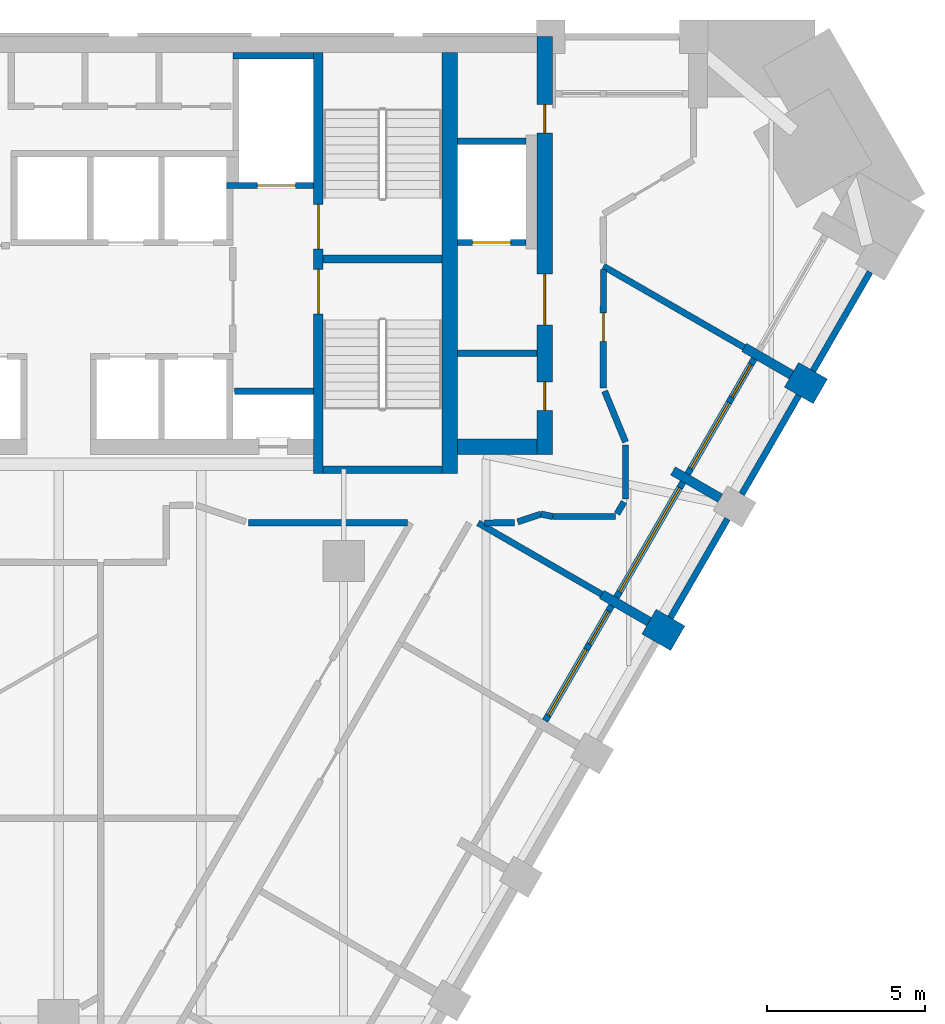
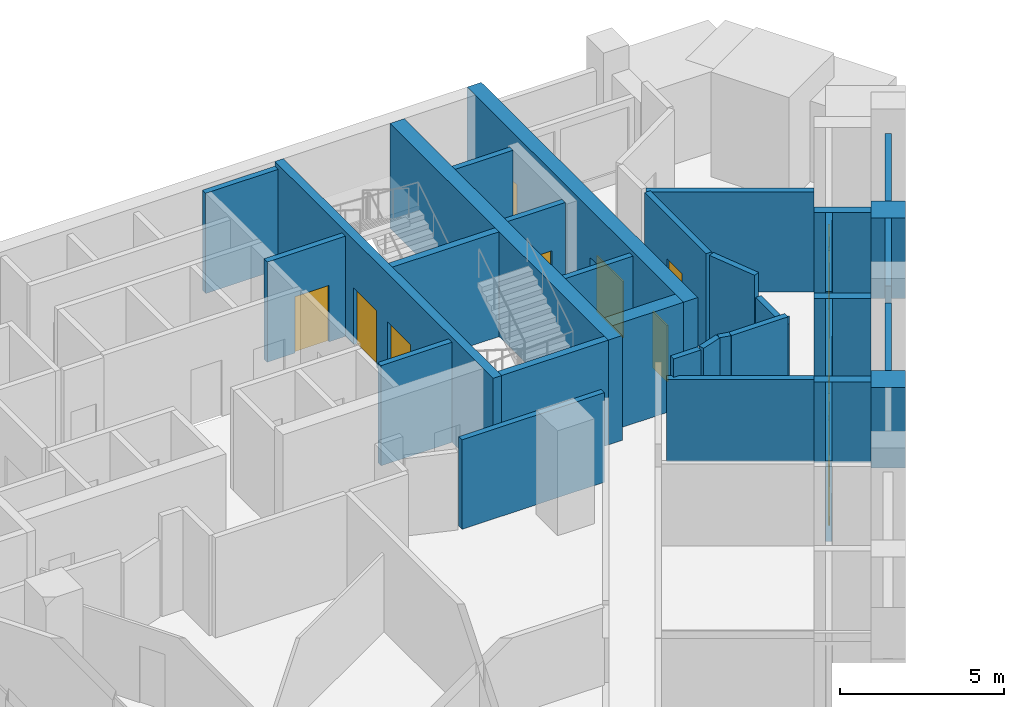
# One storey, part 7 of 10: 34 walls, 10 doors, 3 windows, 13 openings.
"""IFC4 building model written with IfcOpenShell, lengths in metres."""

from ifc_helpers import new_model, si_unit, direction, frame, frame_2d, origin, place, context, subcontext, project, spatial, rectangle, extrude, material, layer, layer_set, type_object, element, fill, save


model = new_model("IFC4")

# Units and contexts
model_context = context("Model", 3, precision=1e-05, world=origin(), true_north=direction((0.0, 1.0)))
body_context = subcontext(model_context, "Body", "Model", "MODEL_VIEW")
ifc_project = project(units=[si_unit("LENGTHUNIT", "METRE"), si_unit("AREAUNIT", "SQUARE_METRE"), si_unit("VOLUMEUNIT", "CUBIC_METRE"), si_unit("PLANEANGLEUNIT", "RADIAN"), si_unit("MASSUNIT", "GRAM", prefix="KILO")], contexts=[model_context])

# Site, building, storey
site_placement = place(None, origin())
site = spatial("IfcSite", under=ifc_project, at=site_placement, CompositionType="ELEMENT")
building_placement = place(site_placement, origin())
building = spatial("IfcBuilding", under=site, at=building_placement, Name="Calabash Gate Tower", CompositionType="ELEMENT")
storey_placement = place(building_placement, frame((0.0, 0.0, 148.5)))
storey = spatial("IfcBuildingStorey", under=building, at=storey_placement, Name="L34", CompositionType="ELEMENT", Elevation=148.5)

# Walls
ifc_material_1 = material(Name="Terracotta brick masonry, exposed face", Category="masonry")
ifc_layer_1 = layer(ifc_material_1, 1.050048828125)
ifc_layer_set_1 = layer_set([ifc_layer_1], Name="Brick end wall 1050")
wall_type_1 = type_object("IfcWallType", Name="Brick end wall 1050", PredefinedType="SOLIDWALL", material=ifc_layer_set_1)
for number, where, z_axis, x_axis, name in (
    (1, (19.55029296875, 0.05615234375, 0.0), (0.0, 0.0, 1.0), (-0.865988129768, 0.500064554934, 0.0), "Brick pier S09 SE4.5"),
    (2, (23.140869140625, 8.37548828125, 0.0), (0.0, 0.0, 1.0), (0.866088799389, -0.499890179513, 0.0), "Brick pier S09 SE4.7"),
):
    element("IfcWall", number, at=place(storey_placement, frame(where, z_axis=z_axis, x_axis=x_axis)), inside=storey, type_object=wall_type_1, Name=name, PredefinedType="SOLIDWALL", context=body_context, shape_type="SweptSolid", body=[
        extrude(rectangle(XDim=1.050048828125, YDim=0.89990234375, at=frame_2d((0.52490234375, 0.0))), origin(), (0.0, 0.0, 1.0), 3.0),
    ])
ifc_material_2 = material(Name="Terracotta brick masonry, exposed face", Category="masonry")
ifc_layer_2 = layer(ifc_material_2, 0.300048828125)
ifc_layer_set_2 = layer_set([ifc_layer_2], Name="Brick loggia cheek wall 300")
wall_type_2 = type_object("IfcWallType", Name="Brick loggia cheek wall 300", PredefinedType="SOLIDWALL", material=ifc_layer_set_2)
wall_1_placement = place(storey_placement, frame((18.640869140625, 0.581298828125, 0.0), z_axis=(0.0, 0.0, 1.0), x_axis=(-0.866013532718, 0.500020560727, 0.0)))
element("IfcWall", 3, at=wall_1_placement, inside=storey, type_object=wall_type_2, Name="Loggia cheek S09 SE4.5", PredefinedType="SOLIDWALL", context=body_context, shape_type="SweptSolid", body=[
    extrude(rectangle(XDim=1.72509765625, YDim=0.300048828125, at=frame_2d((0.862548828125, 0.0))), origin(), (0.0, 0.0, 1.0), 3.0),
])
wall_2_placement = place(storey_placement, frame((19.39697265625, 5.3408203125, 0.0), z_axis=(0.0, 0.0, 1.0), x_axis=(0.866013532718, -0.500020560727, 0.0)))
element("IfcWall", 4, at=wall_2_placement, inside=storey, type_object=wall_type_2, Name="Loggia cheek S09 SE4.6", PredefinedType="SOLIDWALL", context=body_context, shape_type="SweptSolid", body=[
    extrude(rectangle(XDim=1.72509765625, YDim=0.300048828125, at=frame_2d((0.862548828125, 0.0))), origin(), (0.0, 0.0, 1.0), 2.9501953125),
])
wall_3_placement = place(storey_placement, frame((23.140869140625, 8.37548828125, 0.0), z_axis=(0.0, 0.0, 1.0), x_axis=(-0.866013532718, 0.500020560727, 0.0)))
element("IfcWall", 5, at=wall_3_placement, inside=storey, type_object=wall_type_2, Name="Loggia cheek S09 SE4.7", PredefinedType="SOLIDWALL", context=body_context, shape_type="SweptSolid", body=[
    extrude(rectangle(XDim=1.72509765625, YDim=0.300048828125, at=frame_2d((0.862548828125, 0.0))), origin(), (0.0, 0.0, 1.0), 3.0),
])
ifc_material_3 = material(Name="Gypsum board on steel studs, mineral wool", Category="steel")
ifc_layer_3 = layer(ifc_material_3, 0.199951171875)
ifc_layer_set_3 = layer_set([ifc_layer_3], Name="Core partition 200 gypsum board")
wall_type_3 = type_object("IfcWallType", Name="Core partition 200 gypsum board", PredefinedType="PARTITIONING", material=ifc_layer_set_3)
wall_4_placement = place(storey_placement, frame((12.60009765625, 9.052490234375, 0.0), z_axis=(0.0, 0.0, 1.0), x_axis=(1.0, 0.0, 0.0)))
element("IfcWall", 6, at=wall_4_placement, inside=storey, type_object=wall_type_3, Name="Core partition", PredefinedType="PARTITIONING", context=body_context, shape_type="SweptSolid", body=[
    extrude(rectangle(XDim=2.5, YDim=0.199951171875, at=frame_2d((1.25, 0.0))), origin(), (0.0, 0.0, 1.0), 3.72998046875),
])
ifc_material_4 = material(Name="Concrete C70/85", Category="concrete")
ifc_layer_4 = layer(ifc_material_4, 0.25)
ifc_layer_set_4 = layer_set([ifc_layer_4], Name="Core wall 250 Concrete C70/85")
wall_type_4 = type_object("IfcWallType", Name="Core wall 250 Concrete C70/85", PredefinedType="SHEAR", material=ifc_layer_set_4)
for number, where, z_axis, x_axis, name in (
    (7, (8.35009765625, 12.027587890625, 0.0), (0.0, 0.0, 1.0), (1.0, 0.0, 0.0), "Core wall Z3-MIDE L34"),
    (8, (8.35009765625, 5.377685546875, 0.0), (0.0, 0.0, 1.0), (1.0, 0.0, 0.0), "Core wall Z3-SSE L34"),
):
    element("IfcWall", number, at=place(storey_placement, frame(where, z_axis=z_axis, x_axis=x_axis)), inside=storey, type_object=wall_type_4, Name=name, PredefinedType="SHEAR", context=body_context, shape_type="SweptSolid", body=[
        extrude(rectangle(XDim=3.75, YDim=0.25, at=frame_2d((1.875, 0.0))), origin(), (0.0, 0.0, 1.0), 3.89990234375),
    ])

# Wall, openings, doors
ifc_material_5 = material(Name="Concrete C70/85", Category="concrete")
ifc_layer_5 = layer(ifc_material_5, 0.300048828125)
ifc_layer_set_5 = layer_set([ifc_layer_5], Name="Core wall 300 Concrete C70/85")
wall_type_5 = type_object("IfcWallType", Name="Core wall 300 Concrete C70/85", PredefinedType="SHEAR", material=ifc_layer_set_5)
wall_5_placement = place(storey_placement, frame((8.199951171875, 5.252685546875, 0.0), z_axis=(0.0, 0.0, 1.0), x_axis=(0.0, 1.0, 0.0)))
wall_5 = element("IfcWall", 9, at=wall_5_placement, inside=storey, type_object=wall_type_5, Name="Core wall Z3-PARTE L34", PredefinedType="SHEAR", context=body_context, shape_type="SweptSolid", body=[
    extrude(rectangle(XDim=13.2998046875, YDim=0.300048828125, at=frame_2d((6.64990234375, 0.0))), origin(), (0.0, 0.0, 1.0), 3.89990234375),
])
opening_1_placement = place(wall_5_placement, frame((7.10009765625, 0.0, 0.0)))
opening_1 = element("IfcOpeningElement", 10, at=opening_1_placement, cuts=wall_5, Name="Opening O1-018", PredefinedType="OPENING", context=body_context, shape_type="SweptSolid", body=[
    extrude(rectangle(XDim=1.39990234375, YDim=2.10009765625, at=frame_2d((0.699951171875, 1.050048828125))), frame((0.0, 0.159912109375, 0.0), z_axis=(0.0, -1.0, 0.0), x_axis=(1.0, 0.0, 0.0)), (0.0, 0.0, 1.0), 0.320068359375),
])
opening_2_placement = place(wall_5_placement, frame((5.050048828125, 0.0, 0.0)))
opening_2 = element("IfcOpeningElement", 11, at=opening_2_placement, cuts=wall_5, Name="Opening O1-019", PredefinedType="OPENING", context=body_context, shape_type="SweptSolid", body=[
    extrude(rectangle(XDim=1.39990234375, YDim=2.10009765625, at=frame_2d((0.699951171875, 1.050048828125))), frame((0.0, 0.159912109375, 0.0), z_axis=(0.0, -1.0, 0.0), x_axis=(1.0, 0.0, 0.0)), (0.0, 0.0, 1.0), 0.320068359375),
])
ifc_material_6 = material(Name="Steel fire door set with fire-resisting glazing", Category="steel")
door_type_1 = type_object("IfcDoorType", Name="Fire door D05 1400x2100 FD90", OperationType="NOTDEFINED", PredefinedType="DOOR", material=ifc_material_6)
door_1_placement = place(opening_1_placement, origin())
door_1 = element("IfcDoor", 12, at=door_1_placement, inside=storey, type_object=door_type_1, Name="Exit stair door ST3", OperationType="SINGLE_SWING_RIGHT", OverallHeight=2.10009765625, OverallWidth=1.39990234375, PredefinedType="DOOR", context=body_context, shape_type="SweptSolid", body=[
    extrude(rectangle(XDim=1.39990234375, YDim=2.10009765625, at=frame_2d((0.699951171875, 1.050048828125))), frame((0.0, 0.02490234375, 0.0), z_axis=(0.0, -1.0, 0.0), x_axis=(1.0, 0.0, 0.0)), (0.0, 0.0, 1.0), 0.050048828125),
])
fill(opening_1, door_1)
door_2_placement = place(opening_2_placement, origin())
door_2 = element("IfcDoor", 13, at=door_2_placement, inside=storey, type_object=door_type_1, Name="Exit stair door ST4", OperationType="SINGLE_SWING_LEFT", OverallHeight=2.10009765625, OverallWidth=1.39990234375, PredefinedType="DOOR", context=body_context, shape_type="SweptSolid", body=[
    extrude(rectangle(XDim=1.39990234375, YDim=2.10009765625, at=frame_2d((0.699951171875, 1.050048828125))), frame((0.0, 0.02490234375, 0.0), z_axis=(0.0, -1.0, 0.0), x_axis=(1.0, 0.0, 0.0)), (0.0, 0.0, 1.0), 0.050048828125),
])
fill(opening_2, door_2)

# Walls
ifc_material_7 = material(Name="Concrete C70/85", Category="concrete")
ifc_layer_6 = layer(ifc_material_7, 0.5)
ifc_layer_set_6 = layer_set([ifc_layer_6], Name="Core wall 500 Concrete C70/85")
wall_type_6 = type_object("IfcWallType", Name="Core wall 500 Concrete C70/85", PredefinedType="SHEAR", material=ifc_layer_set_6)
wall_6_placement = place(storey_placement, frame((12.35009765625, 5.252685546875, 0.0), z_axis=(0.0, 0.0, 1.0), x_axis=(0.0, 1.0, 0.0)))
element("IfcWall", 14, at=wall_6_placement, inside=storey, type_object=wall_type_6, Name="Core wall Z3-COLE L34", PredefinedType="SHEAR", context=body_context, shape_type="SweptSolid", body=[
    extrude(rectangle(XDim=13.2998046875, YDim=0.5, at=frame_2d((6.64990234375, 0.0))), origin(), (0.0, 0.0, 1.0), 3.89990234375),
])
wall_7_placement = place(storey_placement, frame((12.60009765625, 6.1025390625, 0.0), z_axis=(0.0, 0.0, 1.0), x_axis=(1.0, 0.0, 0.0)))
element("IfcWall", 15, at=wall_7_placement, inside=storey, type_object=wall_type_6, Name="Core wall Z3-SE L34", PredefinedType="SHEAR", context=body_context, shape_type="SweptSolid", body=[
    extrude(rectangle(XDim=2.5, YDim=0.5, at=frame_2d((1.25, 0.0))), origin(), (0.0, 0.0, 1.0), 3.89990234375),
])

# Wall, openings, doors
wall_8_placement = place(storey_placement, frame((15.35009765625, 5.8525390625, 0.0), z_axis=(0.0, 0.0, 1.0), x_axis=(0.0, 1.0, 0.0)))
wall_8 = element("IfcWall", 16, at=wall_8_placement, inside=storey, type_object=wall_type_6, Name="Core wall Z3-ENDE L34", PredefinedType="SHEAR", context=body_context, shape_type="SweptSolid", body=[
    extrude(rectangle(XDim=13.199951171875, YDim=0.5, at=frame_2d((6.60009765625, 0.0))), origin(), (0.0, 0.0, 1.0), 3.89990234375),
])
opening_3_placement = place(wall_8_placement, frame((4.10009765625, 0.0, 0.0)))
opening_3 = element("IfcOpeningElement", 17, at=opening_3_placement, cuts=wall_8, Name="Opening O1-003", PredefinedType="OPENING", context=body_context, shape_type="SweptSolid", body=[
    extrude(rectangle(XDim=1.60009765625, YDim=2.10009765625, at=frame_2d((0.800048828125, 1.050048828125))), frame((0.0, 0.260009765625, 0.0), z_axis=(0.0, -1.0, 0.0), x_axis=(1.0, 0.0, 0.0)), (0.0, 0.0, 1.0), 0.52001953125),
])
opening_4_placement = place(wall_8_placement, frame((1.39990234375, 0.0, 0.0)))
opening_4 = element("IfcOpeningElement", 18, at=opening_4_placement, cuts=wall_8, Name="Opening O1-001", PredefinedType="OPENING", context=body_context, shape_type="SweptSolid", body=[
    extrude(rectangle(XDim=0.89990234375, YDim=2.10009765625, at=frame_2d((0.449951171875, 1.050048828125))), frame((0.0, 0.260009765625, 0.0), z_axis=(0.0, -1.0, 0.0), x_axis=(1.0, 0.0, 0.0)), (0.0, 0.0, 1.0), 0.52001953125),
])
opening_5_placement = place(wall_8_placement, frame((10.14990234375, 0.0, 0.0)))
opening_5 = element("IfcOpeningElement", 19, at=opening_5_placement, cuts=wall_8, Name="Opening O1-002", PredefinedType="OPENING", context=body_context, shape_type="SweptSolid", body=[
    extrude(rectangle(XDim=0.89990234375, YDim=2.10009765625, at=frame_2d((0.449951171875, 1.050048828125))), frame((0.0, 0.260009765625, 0.0), z_axis=(0.0, -1.0, 0.0), x_axis=(1.0, 0.0, 0.0)), (0.0, 0.0, 1.0), 0.52001953125),
])
ifc_material_8 = material(Name="Steel fire door set with fire-resisting glazing", Category="steel")
door_type_2 = type_object("IfcDoorType", Name="Double fire door D08 1600x2100 FD60", OperationType="DOUBLE_DOOR_SINGLE_SWING", PredefinedType="DOOR", material=ifc_material_8)
door_3_placement = place(opening_3_placement, origin())
door_3 = element("IfcDoor", 20, at=door_3_placement, inside=storey, type_object=door_type_2, Name="Service Lift Lobby E door", OperationType="DOUBLE_DOOR_SINGLE_SWING", OverallHeight=2.10009765625, OverallWidth=1.60009765625, PredefinedType="DOOR", context=body_context, shape_type="SweptSolid", body=[
    extrude(rectangle(XDim=1.60009765625, YDim=2.10009765625, at=frame_2d((0.800048828125, 1.050048828125))), frame((0.0, 0.02490234375, 0.0), z_axis=(0.0, -1.0, 0.0), x_axis=(1.0, 0.0, 0.0)), (0.0, 0.0, 1.0), 0.050048828125),
])
fill(opening_3, door_3)
ifc_material_9 = material(Name="Steel fire door set with fire-resisting glazing", Category="steel")
door_type_3 = type_object("IfcDoorType", Name="Fire door D06 900x2100 FD60", OperationType="NOTDEFINED", PredefinedType="DOOR", material=ifc_material_9)
door_4_placement = place(opening_4_placement, origin())
door_4 = element("IfcDoor", 21, at=door_4_placement, inside=storey, type_object=door_type_3, Name="Comms Room door", OperationType="SINGLE_SWING_RIGHT", OverallHeight=2.10009765625, OverallWidth=0.89990234375, PredefinedType="DOOR", context=body_context, shape_type="SweptSolid", body=[
    extrude(rectangle(XDim=0.89990234375, YDim=2.10009765625, at=frame_2d((0.449951171875, 1.050048828125))), frame((0.0, 0.02490234375, 0.0), z_axis=(0.0, -1.0, 0.0), x_axis=(1.0, 0.0, 0.0)), (0.0, 0.0, 1.0), 0.050048828125),
])
fill(opening_4, door_4)
door_5_placement = place(opening_5_placement, origin())
door_5 = element("IfcDoor", 22, at=door_5_placement, inside=storey, type_object=door_type_3, Name="Print Room door", OperationType="SINGLE_SWING_LEFT", OverallHeight=2.10009765625, OverallWidth=0.89990234375, PredefinedType="DOOR", context=body_context, shape_type="SweptSolid", body=[
    extrude(rectangle(XDim=0.89990234375, YDim=2.10009765625, at=frame_2d((0.449951171875, 1.050048828125))), frame((0.0, 0.02490234375, 0.0), z_axis=(0.0, -1.0, 0.0), x_axis=(1.0, 0.0, 0.0)), (0.0, 0.0, 1.0), 0.050048828125),
])
fill(opening_5, door_5)

# Walls
ifc_material_10 = material(Name="Gypsum board on steel studs, mineral wool", Category="steel")
ifc_layer_7 = layer(ifc_material_10, 0.199951171875)
ifc_layer_set_7 = layer_set([ifc_layer_7], Name="Partition 200 gypsum board EI 60")
wall_type_7 = type_object("IfcWallType", Name="Partition 200 gypsum board EI 60", PredefinedType="PARTITIONING", material=ifc_layer_set_7)
wall_9_placement = place(storey_placement, frame((6.0, 3.69970703125, 0.0), z_axis=(0.0, 0.0, 1.0), x_axis=(1.0, 0.0, 0.0)))
element("IfcWall", 23, at=wall_9_placement, inside=storey, type_object=wall_type_7, Name="Partition", PredefinedType="PARTITIONING", context=body_context, shape_type="SweptSolid", body=[
    extrude(rectangle(XDim=5.016845703125, YDim=0.199951171875, at=frame_2d((2.50830078125, 0.0))), origin(), (0.0, 0.0, 1.0), 3.33154296875),
])
wall_10_placement = place(storey_placement, frame((13.24658203125, 3.697998046875, 0.0), z_axis=(0.0, 0.0, 1.0), x_axis=(0.865845249199, -0.500311907154, 0.0)))
element("IfcWall", 24, at=wall_10_placement, inside=storey, type_object=wall_type_7, Name="Partition", PredefinedType="PARTITIONING", context=body_context, shape_type="SweptSolid", body=[
    extrude(rectangle(XDim=4.5048828125, YDim=0.199951171875, at=frame_2d((2.25244140625, 0.0))), origin(), (0.0, 0.0, 1.0), 3.052001953125),
])
wall_11_placement = place(storey_placement, frame((13.44580078125, 3.6982421875, 0.0), z_axis=(0.0, 0.0, 1.0), x_axis=(0.999999181535, 0.00127942577, 0.0)))
element("IfcWall", 25, at=wall_11_placement, inside=storey, type_object=wall_type_7, Name="Partition", PredefinedType="PARTITIONING", context=body_context, shape_type="SweptSolid", body=[
    extrude(rectangle(XDim=0.9541015625, YDim=0.199951171875, at=frame_2d((0.47705078125, 0.0))), origin(), (0.0, 0.0, 1.0), 3.72998046875),
])
wall_12_placement = place(storey_placement, frame((15.233642578125, 3.977294921875, 0.0), z_axis=(0.0, 0.0, 1.0), x_axis=(0.978153882022, -0.207882137485, 0.0)))
element("IfcWall", 26, at=wall_12_placement, inside=storey, type_object=wall_type_7, Name="Partition", PredefinedType="PARTITIONING", context=body_context, shape_type="SweptSolid", body=[
    extrude(rectangle(XDim=0.374755859375, YDim=0.199951171875, at=frame_2d((0.1875, 0.0))), origin(), (0.0, 0.0, 1.0), 3.72998046875),
])
wall_13_placement = place(storey_placement, frame((15.60009765625, 3.8994140625, 0.0), z_axis=(0.0, 0.0, 1.0), x_axis=(1.0, 0.0, 0.0)))
element("IfcWall", 27, at=wall_13_placement, inside=storey, type_object=wall_type_7, Name="Partition", PredefinedType="PARTITIONING", context=body_context, shape_type="SweptSolid", body=[
    extrude(rectangle(XDim=1.983642578125, YDim=0.199951171875, at=frame_2d((0.99169921875, 0.0))), origin(), (0.0, 0.0, 1.0), 3.72998046875),
])
wall_14_placement = place(storey_placement, frame((14.494873046875, 3.731201171875, 0.0), z_axis=(0.0, 0.0, 1.0), x_axis=(0.948745985677, 0.316039640966, 0.0)))
element("IfcWall", 28, at=wall_14_placement, inside=storey, type_object=wall_type_7, Name="Partition", PredefinedType="PARTITIONING", context=body_context, shape_type="SweptSolid", body=[
    extrude(rectangle(XDim=0.778564453125, YDim=0.199951171875, at=frame_2d((0.38916015625, 0.0))), origin(), (0.0, 0.0, 1.0), 3.72998046875),
])
wall_15_placement = place(storey_placement, frame((17.6337890625, 3.986083984375, 0.0), z_axis=(0.0, 0.0, 1.0), x_axis=(0.500258826225, 0.865875918815, 0.0)))
element("IfcWall", 29, at=wall_15_placement, inside=storey, type_object=wall_type_7, Name="Partition", PredefinedType="PARTITIONING", context=body_context, shape_type="SweptSolid", body=[
    extrude(rectangle(XDim=0.433349609375, YDim=0.199951171875, at=frame_2d((0.216796875, 0.0))), origin(), (0.0, 0.0, 1.0), 3.33154296875),
])
wall_16_placement = place(storey_placement, frame((17.900390625, 4.447998046875, 0.0), z_axis=(0.0, 0.0, 1.0), x_axis=(0.0, 1.0, 0.0)))
element("IfcWall", 30, at=wall_16_placement, inside=storey, type_object=wall_type_7, Name="Partition", PredefinedType="PARTITIONING", context=body_context, shape_type="SweptSolid", body=[
    extrude(rectangle(XDim=1.70458984375, YDim=0.199951171875, at=frame_2d((0.852294921875, 0.0))), origin(), (0.0, 0.0, 1.0), 2.9501953125),
])
wall_17_placement = place(storey_placement, frame((17.238525390625, 7.860107421875, 0.0), z_axis=(0.0, 0.0, 1.0), x_axis=(0.380742741509, -0.924681007044, 0.0)))
element("IfcWall", 31, at=wall_17_placement, inside=storey, type_object=wall_type_7, Name="Partition", PredefinedType="PARTITIONING", context=body_context, shape_type="SweptSolid", body=[
    extrude(rectangle(XDim=1.73828125, YDim=0.199951171875, at=frame_2d((0.869140625, 0.0))), origin(), (0.0, 0.0, 1.0), 3.72998046875),
])
wall_18_placement = place(storey_placement, frame((17.201904296875, 11.802001953125, 0.0), z_axis=(0.0, 0.0, 1.0), x_axis=(0.866206970465, -0.499685385335, 0.0)))
element("IfcWall", 32, at=wall_18_placement, inside=storey, type_object=wall_type_7, Name="Partition", PredefinedType="PARTITIONING", context=body_context, shape_type="SweptSolid", body=[
    extrude(rectangle(XDim=5.131591796875, YDim=0.199951171875, at=frame_2d((2.56591796875, 0.0))), origin(), (0.0, 0.0, 1.0), 3.72998046875),
])

# Wall, opening, door
wall_19_placement = place(storey_placement, frame((17.200439453125, 7.95263671875, 0.0), z_axis=(0.0, 0.0, 1.0), x_axis=(0.000390701279, 0.999999923676, 0.0)))
wall_19 = element("IfcWall", 33, at=wall_19_placement, inside=storey, type_object=wall_type_7, Name="Partition", PredefinedType="PARTITIONING", context=body_context, shape_type="SweptSolid", body=[
    extrude(rectangle(XDim=3.749267578125, YDim=0.199951171875, at=frame_2d((1.87451171875, 0.0))), origin(), (0.0, 0.0, 1.0), 3.72998046875),
])
opening_6_placement = place(wall_19_placement, frame((1.47607421875, 0.0, 0.0)))
opening_6 = element("IfcOpeningElement", 34, at=opening_6_placement, cuts=wall_19, Name="Opening 33-35-015", PredefinedType="OPENING", context=body_context, shape_type="SweptSolid", body=[
    extrude(rectangle(XDim=0.89990234375, YDim=2.10009765625, at=frame_2d((0.449951171875, 1.050048828125))), frame((0.0, 0.10986328125, 0.0), z_axis=(0.0, -1.0, 0.0), x_axis=(1.0, 0.0, 0.0)), (0.0, 0.0, 1.0), 0.219970703125),
])
ifc_material_11 = material(Name="Steel fire door set with fire-resisting glazing", Category="steel")
door_type_4 = type_object("IfcDoorType", Name="SD3 Store door 900x2100", OperationType="NOTDEFINED", PredefinedType="DOOR", material=ifc_material_11)
door_6_placement = place(opening_6_placement, origin())
door_6 = element("IfcDoor", 35, at=door_6_placement, inside=storey, type_object=door_type_4, Name="Store door", OperationType="SINGLE_SWING_LEFT", OverallHeight=2.10009765625, OverallWidth=0.89990234375, PredefinedType="DOOR", context=body_context, shape_type="SweptSolid", body=[
    extrude(rectangle(XDim=0.89990234375, YDim=2.10009765625, at=frame_2d((0.449951171875, 1.050048828125))), frame((0.0, 0.02490234375, 0.0), z_axis=(0.0, -1.0, 0.0), x_axis=(1.0, 0.0, 0.0)), (0.0, 0.0, 1.0), 0.050048828125),
])
fill(opening_6, door_6)

# Wall
ifc_material_12 = material(Name="Concrete C40/50", Category="concrete")
ifc_layer_8 = layer(ifc_material_12, 0.199951171875)
ifc_layer_set_8 = layer_set([ifc_layer_8], Name="Shaft wall 200 Concrete C40/50")
wall_type_8 = type_object("IfcWallType", Name="Shaft wall 200 Concrete C40/50", PredefinedType="SOLIDWALL", material=ifc_layer_set_8)
wall_20_placement = place(storey_placement, frame((5.550048828125, 7.8525390625, 0.0), z_axis=(0.0, 0.0, 1.0), x_axis=(1.0, 0.0, 0.0)))
element("IfcWall", 36, at=wall_20_placement, inside=storey, type_object=wall_type_8, Name="Shaft wall", PredefinedType="SOLIDWALL", context=body_context, shape_type="SweptSolid", body=[
    extrude(rectangle(XDim=2.5, YDim=0.199951171875, at=frame_2d((1.25, 0.0))), origin(), (0.0, 0.0, 1.0), 3.72998046875),
])

# Wall, opening, door
wall_21_placement = place(storey_placement, frame((12.60009765625, 12.552490234375, 0.0), z_axis=(0.0, 0.0, 1.0), x_axis=(1.0, 0.0, 0.0)))
wall_21 = element("IfcWall", 37, at=wall_21_placement, inside=storey, type_object=wall_type_8, Name="Shaft wall", PredefinedType="SOLIDWALL", context=body_context, shape_type="SweptSolid", body=[
    extrude(rectangle(XDim=2.14990234375, YDim=0.199951171875, at=frame_2d((1.074951171875, 0.0))), origin(), (0.0, 0.0, 1.0), 3.72998046875),
])
opening_7_placement = place(wall_21_placement, frame((0.47509765625, 0.0, 0.0)))
opening_7 = element("IfcOpeningElement", 38, at=opening_7_placement, cuts=wall_21, Name="Opening LD-SL1", PredefinedType="OPENING", context=body_context, shape_type="SweptSolid", body=[
    extrude(rectangle(XDim=1.199951171875, YDim=2.10009765625, at=frame_2d((0.60009765625, 1.050048828125))), frame((0.0, 0.10986328125, 0.0), z_axis=(0.0, -1.0, 0.0), x_axis=(1.0, 0.0, 0.0)), (0.0, 0.0, 1.0), 0.219970703125),
])
ifc_material_13 = material(Name="Stainless steel sliding door leaves", Category="steel")
door_type_5 = type_object("IfcDoorType", Name="Lift landing door LS3 1200x2100 FD90", OperationType="DOUBLE_DOOR_SLIDING", PredefinedType="DOOR", material=ifc_material_13)
door_7_placement = place(opening_7_placement, origin())
door_7 = element("IfcDoor", 39, at=door_7_placement, inside=storey, type_object=door_type_5, Name="Lift landing door SL1", OperationType="DOUBLE_DOOR_SLIDING", OverallHeight=2.10009765625, OverallWidth=1.199951171875, PredefinedType="DOOR", context=body_context, shape_type="SweptSolid", body=[
    extrude(rectangle(XDim=1.199951171875, YDim=2.10009765625, at=frame_2d((0.60009765625, 1.050048828125))), frame((0.0, 0.02490234375, 0.0), z_axis=(0.0, -1.0, 0.0), x_axis=(1.0, 0.0, 0.0)), (0.0, 0.0, 1.0), 0.050048828125),
])
fill(opening_7, door_7)

wall_22_placement = place(storey_placement, frame((5.300048828125, 14.3525390625, 0.0), z_axis=(0.0, 0.0, 1.0), x_axis=(1.0, 0.0, 0.0)))
wall_22 = element("IfcWall", 40, at=wall_22_placement, inside=storey, type_object=wall_type_8, Name="Shaft wall", PredefinedType="SOLIDWALL", context=body_context, shape_type="SweptSolid", body=[
    extrude(rectangle(XDim=2.75, YDim=0.199951171875, at=frame_2d((1.375, 0.0))), origin(), (0.0, 0.0, 1.0), 3.72998046875),
])
opening_8_placement = place(wall_22_placement, frame((0.97509765625, 0.0, 0.0)))
opening_8 = element("IfcOpeningElement", 41, at=opening_8_placement, cuts=wall_22, Name="Opening LD-FF2", PredefinedType="OPENING", context=body_context, shape_type="SweptSolid", body=[
    extrude(rectangle(XDim=1.199951171875, YDim=2.10009765625, at=frame_2d((0.60009765625, 1.050048828125))), frame((0.0, 0.10986328125, 0.0), z_axis=(0.0, -1.0, 0.0), x_axis=(1.0, 0.0, 0.0)), (0.0, 0.0, 1.0), 0.219970703125),
])
door_8_placement = place(opening_8_placement, origin())
door_8 = element("IfcDoor", 42, at=door_8_placement, inside=storey, type_object=door_type_5, Name="Lift landing door FF2", OperationType="DOUBLE_DOOR_SLIDING", OverallHeight=2.10009765625, OverallWidth=1.199951171875, PredefinedType="DOOR", context=body_context, shape_type="SweptSolid", body=[
    extrude(rectangle(XDim=1.199951171875, YDim=2.10009765625, at=frame_2d((0.60009765625, 1.050048828125))), frame((0.0, 0.02490234375, 0.0), z_axis=(0.0, -1.0, 0.0), x_axis=(1.0, 0.0, 0.0)), (0.0, 0.0, 1.0), 0.050048828125),
])
fill(opening_8, door_8)

# Walls
wall_23_placement = place(storey_placement, frame((12.60009765625, 15.752685546875, 0.0), z_axis=(0.0, 0.0, 1.0), x_axis=(1.0, 0.0, 0.0)))
element("IfcWall", 43, at=wall_23_placement, inside=storey, type_object=wall_type_8, Name="Shaft wall", PredefinedType="SOLIDWALL", context=body_context, shape_type="SweptSolid", body=[
    extrude(rectangle(XDim=2.14990234375, YDim=0.199951171875, at=frame_2d((1.074951171875, 0.0))), origin(), (0.0, 0.0, 1.0), 3.72998046875),
])
wall_24_placement = place(storey_placement, frame((5.5, 18.45263671875, 0.0), z_axis=(0.0, 0.0, 1.0), x_axis=(1.0, 0.0, 0.0)))
element("IfcWall", 44, at=wall_24_placement, inside=storey, type_object=wall_type_8, Name="Shaft wall", PredefinedType="SOLIDWALL", context=body_context, shape_type="SweptSolid", body=[
    extrude(rectangle(XDim=2.550048828125, YDim=0.199951171875, at=frame_2d((1.27490234375, 0.0))), origin(), (0.0, 0.0, 1.0), 3.72998046875),
])
ifc_material_14 = material(Name="Terracotta brick masonry, perforated", Category="masonry")
ifc_layer_9 = layer(ifc_material_14, 0.199951171875)
ifc_layer_set_9 = layer_set([ifc_layer_9], Name="Terracotta jaali screen A")
wall_type_9 = type_object("IfcWallType", Name="Terracotta jaali screen A", PredefinedType="SOLIDWALL", material=ifc_layer_set_9)
for number, where, z_axis, x_axis, name in (
    (45, (19.320556640625, 0.70849609375, 0.0), (0.0, 0.0, 1.0), (0.500012057535, 0.866018442252, 0.0), "SCREEN A S09 SE4.6"),
    (46, (21.570556640625, 4.60546875, 0.0), (0.0, 0.0, 1.0), (0.500012057535, 0.866018442252, 0.0), "SCREEN A S09 SE4.7"),
    (47, (23.820556640625, 8.502685546875, 0.0), (0.0, 0.0, 1.0), (0.500012057535, 0.866018442252, 0.0), "SCREEN A S09 SE4.8"),
):
    element("IfcWall", number, at=place(storey_placement, frame(where, z_axis=z_axis, x_axis=x_axis)), inside=storey, type_object=wall_type_9, Name=name, PredefinedType="SOLIDWALL", context=body_context, shape_type="SweptSolid", body=[
        extrude(rectangle(XDim=3.60009765625, YDim=0.199951171875, at=frame_2d((1.800048828125, 0.0))), origin(), (0.0, 0.0, 1.0), 3.0),
    ])

# Wall, openings, door, window
ifc_material_15 = material(Name="Aluminium framed window wall with insulated spandrel", Category="aluminium")
ifc_layer_10 = layer(ifc_material_15, 0.199951171875)
ifc_layer_set_10 = layer_set([ifc_layer_10], Name="Window wall 200")
wall_type_10 = type_object("IfcWallType", Name="Window wall 200", PredefinedType="ELEMENTEDWALL", material=ifc_layer_set_10)
wall_25_placement = place(storey_placement, frame((15.361572265625, -2.548583984375, 0.0), z_axis=(0.0, 0.0, 1.0), x_axis=(0.500002543286, 0.866023935413, 0.0)))
wall_25 = element("IfcWall", 48, at=wall_25_placement, inside=storey, type_object=wall_type_10, Name="Window wall S09 SE4.5", PredefinedType="ELEMENTEDWALL", context=body_context, shape_type="SweptSolid", body=[
    extrude(rectangle(XDim=4.2001953125, YDim=0.199951171875, at=frame_2d((2.10009765625, 0.0))), origin(), (0.0, 0.0, 1.0), 3.0),
])
opening_9_placement = place(wall_25_placement, frame((0.199951171875, 0.0, 0.449951171875)))
opening_9 = element("IfcOpeningElement", 49, at=opening_9_placement, cuts=wall_25, Name="Opening OW1", PredefinedType="OPENING", context=body_context, shape_type="SweptSolid", body=[
    extrude(rectangle(XDim=2.39990234375, YDim=2.25, at=frame_2d((1.199951171875, 1.125))), frame((0.0, 0.10986328125, 0.0), z_axis=(0.0, -1.0, 0.0), x_axis=(1.0, 0.0, 0.0)), (0.0, 0.0, 1.0), 0.219970703125),
])
opening_10_placement = place(wall_25_placement, frame((2.800048828125, 0.0, 0.0)))
opening_10 = element("IfcOpeningElement", 50, at=opening_10_placement, cuts=wall_25, Name="Opening O1-022", PredefinedType="OPENING", context=body_context, shape_type="SweptSolid", body=[
    extrude(rectangle(XDim=1.199951171875, YDim=2.699951171875, at=frame_2d((0.60009765625, 1.35009765625))), frame((0.0, 0.10986328125, 0.0), z_axis=(0.0, -1.0, 0.0), x_axis=(1.0, 0.0, 0.0)), (0.0, 0.0, 1.0), 0.219970703125),
])
ifc_material_16 = material(Name="Anodised aluminium frame, bronze finish, impact-rated laminated clear glazing", Category="aluminium")
door_type_6 = type_object("IfcDoorType", Name="Loggia door DO1 1200x2700", OperationType="SLIDING_TO_LEFT", PredefinedType="DOOR", material=ifc_material_16)
door_9_placement = place(opening_10_placement, origin())
door_9 = element("IfcDoor", 51, at=door_9_placement, inside=storey, type_object=door_type_6, Name="Loggia door S09 SE4.5", OperationType="SINGLE_SWING_LEFT", OverallHeight=2.699951171875, OverallWidth=1.199951171875, PredefinedType="DOOR", context=body_context, shape_type="SweptSolid", body=[
    extrude(rectangle(XDim=1.199951171875, YDim=2.699951171875, at=frame_2d((0.60009765625, 1.35009765625))), frame((0.0, 0.02490234375, 0.0), z_axis=(0.0, -1.0, 0.0), x_axis=(1.0, 0.0, 0.0)), (0.0, 0.0, 1.0), 0.050048828125),
])
fill(opening_10, door_9)
ifc_material_17 = material(Name="Anodised aluminium frame, bronze finish, impact-rated laminated clear glazing", Category="aluminium")
window_type_1 = type_object("IfcWindowType", Name="Window OW1 2400x2250", PartitioningType="DOUBLE_PANEL_VERTICAL", PredefinedType="WINDOW", material=ifc_material_17)
window_1_placement = place(opening_9_placement, origin())
window_1 = element("IfcWindow", 52, at=window_1_placement, inside=storey, type_object=window_type_1, Name="Window OW1 S09 SE4.5", OverallHeight=2.25, OverallWidth=2.39990234375, PartitioningType="SINGLE_PANEL", PredefinedType="WINDOW", context=body_context, shape_type="SweptSolid", body=[
    extrude(rectangle(XDim=2.39990234375, YDim=2.25, at=frame_2d((1.199951171875, 1.125))), frame((0.0, 0.030029296875, 0.0), z_axis=(0.0, -1.0, 0.0), x_axis=(1.0, 0.0, 0.0)), (0.0, 0.0, 1.0), 0.06005859375),
])
fill(opening_9, window_1)

# Wall, opening, window
wall_26_placement = place(storey_placement, frame((17.611572265625, 1.3486328125, 0.0), z_axis=(0.0, 0.0, 1.0), x_axis=(0.500027713859, 0.866009402589, 0.0)))
wall_26 = element("IfcWall", 53, at=wall_26_placement, inside=storey, type_object=wall_type_10, Name="Window wall S09 SE4.6", PredefinedType="ELEMENTEDWALL", context=body_context, shape_type="SweptSolid", body=[
    extrude(rectangle(XDim=4.199951171875, YDim=0.199951171875, at=frame_2d((2.10009765625, 0.0))), origin(), (0.0, 0.0, 1.0), 2.9501953125),
])
opening_11_placement = place(wall_26_placement, frame((0.199951171875, 0.0, 0.449951171875)))
opening_11 = element("IfcOpeningElement", 54, at=opening_11_placement, cuts=wall_26, Name="Opening OW2", PredefinedType="OPENING", context=body_context, shape_type="SweptSolid", body=[
    extrude(rectangle(XDim=3.800048828125, YDim=2.25, at=frame_2d((1.89990234375, 1.125))), frame((0.0, 0.10986328125, 0.0), z_axis=(0.0, -1.0, 0.0), x_axis=(1.0, 0.0, 0.0)), (0.0, 0.0, 1.0), 0.219970703125),
])
ifc_material_18 = material(Name="Anodised aluminium frame, bronze finish, impact-rated laminated clear glazing", Category="aluminium")
window_type_2 = type_object("IfcWindowType", Name="Window OW2 3800x2250", PartitioningType="TRIPLE_PANEL_VERTICAL", PredefinedType="WINDOW", material=ifc_material_18)
window_2_placement = place(opening_11_placement, origin())
window_2 = element("IfcWindow", 55, at=window_2_placement, inside=storey, type_object=window_type_2, Name="Window OW2 S09 SE4.6", OverallHeight=2.25, OverallWidth=3.800048828125, PartitioningType="SINGLE_PANEL", PredefinedType="WINDOW", context=body_context, shape_type="SweptSolid", body=[
    extrude(rectangle(XDim=3.800048828125, YDim=2.25, at=frame_2d((1.89990234375, 1.125))), frame((0.0, 0.030029296875, 0.0), z_axis=(0.0, -1.0, 0.0), x_axis=(1.0, 0.0, 0.0)), (0.0, 0.0, 1.0), 0.06005859375),
])
fill(opening_11, window_2)

# Wall, openings, door, window
wall_27_placement = place(storey_placement, frame((19.861572265625, 5.245849609375, 0.0), z_axis=(0.0, 0.0, 1.0), x_axis=(0.500027713859, 0.866009402589, 0.0)))
wall_27 = element("IfcWall", 56, at=wall_27_placement, inside=storey, type_object=wall_type_10, Name="Window wall S09 SE4.7", PredefinedType="ELEMENTEDWALL", context=body_context, shape_type="SweptSolid", body=[
    extrude(rectangle(XDim=4.199951171875, YDim=0.199951171875, at=frame_2d((2.10009765625, 0.0))), origin(), (0.0, 0.0, 1.0), 3.0),
])
opening_12_placement = place(wall_27_placement, frame((0.199951171875, 0.0, 0.449951171875)))
opening_12 = element("IfcOpeningElement", 57, at=opening_12_placement, cuts=wall_27, Name="Opening OW1", PredefinedType="OPENING", context=body_context, shape_type="SweptSolid", body=[
    extrude(rectangle(XDim=2.39990234375, YDim=2.25, at=frame_2d((1.199951171875, 1.125))), frame((0.0, 0.10986328125, 0.0), z_axis=(0.0, -1.0, 0.0), x_axis=(1.0, 0.0, 0.0)), (0.0, 0.0, 1.0), 0.219970703125),
])
opening_13_placement = place(wall_27_placement, frame((2.800048828125, 0.0, 0.0)))
opening_13 = element("IfcOpeningElement", 58, at=opening_13_placement, cuts=wall_27, Name="Opening O1-023", PredefinedType="OPENING", context=body_context, shape_type="SweptSolid", body=[
    extrude(rectangle(XDim=1.199951171875, YDim=2.699951171875, at=frame_2d((0.60009765625, 1.35009765625))), frame((0.0, 0.10986328125, 0.0), z_axis=(0.0, -1.0, 0.0), x_axis=(1.0, 0.0, 0.0)), (0.0, 0.0, 1.0), 0.219970703125),
])
door_10_placement = place(opening_13_placement, origin())
door_10 = element("IfcDoor", 59, at=door_10_placement, inside=storey, type_object=door_type_6, Name="Loggia door S09 SE4.7", OperationType="SINGLE_SWING_LEFT", OverallHeight=2.699951171875, OverallWidth=1.199951171875, PredefinedType="DOOR", context=body_context, shape_type="SweptSolid", body=[
    extrude(rectangle(XDim=1.199951171875, YDim=2.699951171875, at=frame_2d((0.60009765625, 1.35009765625))), frame((0.0, 0.02490234375, 0.0), z_axis=(0.0, -1.0, 0.0), x_axis=(1.0, 0.0, 0.0)), (0.0, 0.0, 1.0), 0.050048828125),
])
fill(opening_13, door_10)
window_3_placement = place(opening_12_placement, origin())
window_3 = element("IfcWindow", 60, at=window_3_placement, inside=storey, type_object=window_type_1, Name="Window OW1 S09 SE4.7", OverallHeight=2.25, OverallWidth=2.39990234375, PartitioningType="SINGLE_PANEL", PredefinedType="WINDOW", context=body_context, shape_type="SweptSolid", body=[
    extrude(rectangle(XDim=2.39990234375, YDim=2.25, at=frame_2d((1.199951171875, 1.125))), frame((0.0, 0.030029296875, 0.0), z_axis=(0.0, -1.0, 0.0), x_axis=(1.0, 0.0, 0.0)), (0.0, 0.0, 1.0), 0.06005859375),
])
fill(opening_12, window_3)

save(model, "model.ifc")
